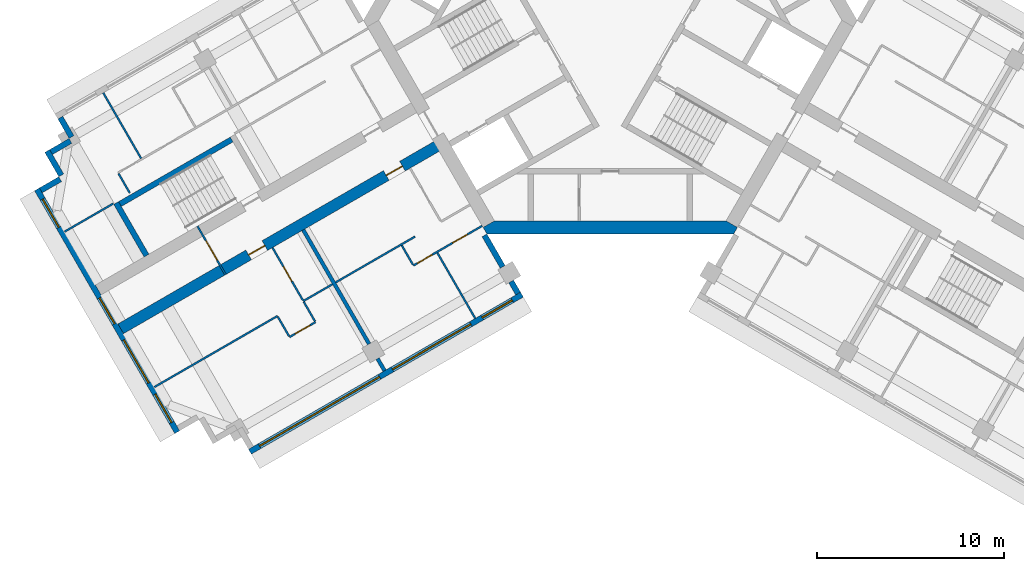
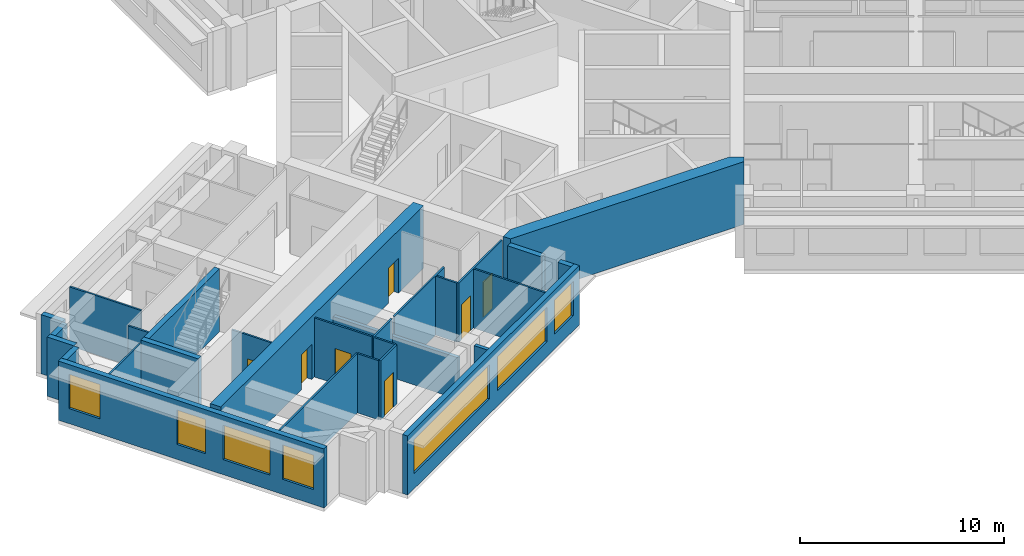
# One storey, part 2 of 10: 28 walls, 7 doors, 7 windows, 14 openings.
"""IFC4 building model written with IfcOpenShell, lengths in metres."""

from ifc_helpers import new_model, si_unit, direction, frame, frame_2d, origin, place, context, subcontext, project, spatial, polyline, rectangle, outline, extrude, material, layer, layer_set, type_object, element, fill, save


model = new_model("IFC4")

# Units and contexts
model_context = context("Model", 3, precision=1e-05, world=origin(), true_north=direction((0.0, 1.0)))
body_context = subcontext(model_context, "Body", "Model", "MODEL_VIEW")
ifc_project = project(units=[si_unit("LENGTHUNIT", "METRE"), si_unit("AREAUNIT", "SQUARE_METRE"), si_unit("VOLUMEUNIT", "CUBIC_METRE"), si_unit("PLANEANGLEUNIT", "RADIAN"), si_unit("MASSUNIT", "GRAM", prefix="KILO")], contexts=[model_context])

# Site, building, storey
site_placement = place(None, origin())
site = spatial("IfcSite", under=ifc_project, at=site_placement, CompositionType="ELEMENT")
building_placement = place(site_placement, origin())
building = spatial("IfcBuilding", under=site, at=building_placement, Name="Impinga Residences", CompositionType="ELEMENT")
storey_placement = place(building_placement, frame((0.0, 0.0, 222.25)))
storey = spatial("IfcBuildingStorey", under=building, at=storey_placement, Name="L55", CompositionType="ELEMENT", Elevation=222.25)

# Wall, openings, doors
ifc_material_1 = material(Name="Concrete C60/75", Category="concrete")
ifc_layer_1 = layer(ifc_material_1, 0.60009765625)
ifc_layer_set_1 = layer_set([ifc_layer_1], Name="Concrete C60/75")
wall_type_1 = type_object("IfcWallType", Name="BW3 corridor buttress wall, L46 to L73 600", PredefinedType="SHEAR", material=ifc_layer_set_1)
wall_1_placement = place(storey_placement, frame((-8.996826171875, -6.580078125, 0.0), z_axis=(0.0, 0.0, 1.0), x_axis=(-0.866030540451, -0.499991102927, 0.0)))
wall_1 = element("IfcWall", 1, at=wall_1_placement, inside=storey, type_object=wall_type_1, Name="Corridor wall BW3 WC L55", PredefinedType="SHEAR", context=body_context, shape_type="SweptSolid", body=[
    extrude(rectangle(XDim=19.849853515625, YDim=0.60009765625, at=frame_2d((9.9248046875, 0.0))), origin(), (0.0, 0.0, 1.0), 3.75),
])
opening_1_placement = place(wall_1_placement, frame((2.449951171875, 0.0, 0.0)))
opening_1 = element("IfcOpeningElement", 2, at=opening_1_placement, cuts=wall_1, Name="Opening D1", PredefinedType="OPENING", context=body_context, shape_type="SweptSolid", body=[
    extrude(rectangle(XDim=1.0, YDim=2.10009765625, at=frame_2d((0.5, 1.050048828125))), frame((0.0, 0.31005859375, 0.0), z_axis=(0.0, -1.0, 0.0), x_axis=(1.0, 0.0, 0.0)), (0.0, 0.0, 1.0), 0.6201171875),
])
opening_2_placement = place(wall_1_placement, frame((10.949951171875, 0.0, 0.0)))
opening_2 = element("IfcOpeningElement", 3, at=opening_2_placement, cuts=wall_1, Name="Opening D1", PredefinedType="OPENING", context=body_context, shape_type="SweptSolid", body=[
    extrude(rectangle(XDim=1.0, YDim=2.10009765625, at=frame_2d((0.5, 1.050048828125))), frame((0.0, 0.31005859375, 0.0), z_axis=(0.0, -1.0, 0.0), x_axis=(1.0, 0.0, 0.0)), (0.0, 0.0, 1.0), 0.6201171875),
])
ifc_material_2 = material(Name="Timber door set", Category="wood")
door_type_1 = type_object("IfcDoorType", Name="D1 apartment entrance door 1000x2100", OperationType="SINGLE_SWING_LEFT", PredefinedType="DOOR", material=ifc_material_2)
door_1_placement = place(opening_1_placement, origin())
door_1 = element("IfcDoor", 4, at=door_1_placement, inside=storey, type_object=door_type_1, Name="Apartment L55-WA1 entrance", OperationType="SINGLE_SWING_LEFT", OverallHeight=2.10009765625, OverallWidth=1.0, PredefinedType="DOOR", context=body_context, shape_type="SweptSolid", body=[
    extrude(rectangle(XDim=1.0, YDim=2.10009765625, at=frame_2d((0.5, 1.050048828125))), frame((0.0, 0.02490234375, 0.0), z_axis=(0.0, -1.0, 0.0), x_axis=(1.0, 0.0, 0.0)), (0.0, 0.0, 1.0), 0.050048828125),
])
fill(opening_1, door_1)
door_2_placement = place(opening_2_placement, origin())
door_2 = element("IfcDoor", 5, at=door_2_placement, inside=storey, type_object=door_type_1, Name="Apartment L55-WA2 entrance", OperationType="SINGLE_SWING_RIGHT", OverallHeight=2.10009765625, OverallWidth=1.0, PredefinedType="DOOR", context=body_context, shape_type="SweptSolid", body=[
    extrude(rectangle(XDim=1.0, YDim=2.10009765625, at=frame_2d((0.5, 1.050048828125))), frame((0.0, 0.02490234375, 0.0), z_axis=(0.0, -1.0, 0.0), x_axis=(1.0, 0.0, 0.0)), (0.0, 0.0, 1.0), 0.050048828125),
])
fill(opening_2, door_2)

# Wall, opening, door
ifc_material_3 = material(Name="Concrete blockwork", Category="masonry")
ifc_layer_2 = layer(ifc_material_3, 0.10009765625)
ifc_layer_set_2 = layer_set([ifc_layer_2], Name="CP1 core room partition, blockwork 100")
wall_type_2 = type_object("IfcWallType", Name="CP1 core room partition, blockwork 100", PredefinedType="PARTITIONING", material=ifc_layer_set_2)
wall_2_placement = place(storey_placement, frame((-20.58154296875, -13.61474609375, 0.0), z_axis=(0.0, 0.0, 1.0), x_axis=(-0.50002537861, 0.866010750942, 0.0)))
wall_2 = element("IfcWall", 6, at=wall_2_placement, inside=storey, type_object=wall_type_2, Name="Core room partition, blockwork L55:W:LNG", PredefinedType="PARTITIONING", context=body_context, shape_type="SweptSolid", body=[
    extrude(rectangle(XDim=2.999755859375, YDim=0.10009765625, at=frame_2d((1.5, 0.0))), origin(), (0.0, 0.0, 1.0), 3.530029296875),
])
opening_3_placement = place(wall_2_placement, frame((0.89990234375, 0.0, 0.0)))
opening_3 = element("IfcOpeningElement", 7, at=opening_3_placement, cuts=wall_2, Name="Opening D3", PredefinedType="OPENING", context=body_context, shape_type="SweptSolid", body=[
    extrude(rectangle(XDim=1.199951171875, YDim=2.10009765625, at=frame_2d((0.60009765625, 1.050048828125))), frame((0.0, 0.06005859375, 0.0), z_axis=(0.0, -1.0, 0.0), x_axis=(1.0, 0.0, 0.0)), (0.0, 0.0, 1.0), 0.1201171875),
])
door_type_2 = type_object("IfcDoorType", Name="D3 room door, leaf and a half 1200x2100", OperationType="DOUBLE_SWING_LEFT", PredefinedType="DOOR", material=ifc_material_2)
door_3_placement = place(opening_3_placement, origin())
door_3 = element("IfcDoor", 8, at=door_3_placement, inside=storey, type_object=door_type_2, Name="Residents' lounge door W", OperationType="DOUBLE_SWING_LEFT", OverallHeight=2.10009765625, OverallWidth=1.199951171875, PredefinedType="DOOR", context=body_context, shape_type="SweptSolid", body=[
    extrude(rectangle(XDim=1.199951171875, YDim=2.10009765625, at=frame_2d((0.60009765625, 1.050048828125))), frame((0.0, 0.02490234375, 0.0), z_axis=(0.0, -1.0, 0.0), x_axis=(1.0, 0.0, 0.0)), (0.0, 0.0, 1.0), 0.050048828125),
])
fill(opening_3, door_3)

# Walls
ifc_material_4 = material(Name="Terracotta rainscreen on blockwork", Category="masonry")
ifc_layer_3 = layer(ifc_material_4, 0.300048828125)
ifc_layer_set_3 = layer_set([ifc_layer_3], Name="EW1 external wall, terracotta rainscreen on blockwork 300")
wall_type_3 = type_object("IfcWallType", Name="EW1 external wall, terracotta rainscreen on blockwork 300", PredefinedType="SOLIDWALL", material=ifc_layer_set_3)
wall_3_placement = place(storey_placement, frame((-6.72998046875, -11.506591796875, 0.0), z_axis=(0.0, 0.0, 1.0), x_axis=(0.500043961785, -0.866000020948, 0.0)))
element("IfcWall", 9, at=wall_3_placement, inside=storey, type_object=wall_type_3, Name="External wall EW1 L55", PredefinedType="SOLIDWALL", context=body_context, shape_type="SweptSolid", body=[
    extrude(rectangle(XDim=1.949951171875, YDim=0.300048828125, at=frame_2d((0.97509765625, 0.0))), origin(), (0.0, 0.0, 1.0), 3.530029296875),
])
wall_4_placement = place(storey_placement, frame((-5.304931640625, -13.974609375, 0.0), z_axis=(0.0, 0.0, 1.0), x_axis=(0.499919672301, -0.866071776036, 0.0)))
element("IfcWall", 10, at=wall_4_placement, inside=storey, type_object=wall_type_3, Name="External wall EW1 L55", PredefinedType="SOLIDWALL", context=body_context, shape_type="SweptSolid", body=[
    extrude(rectangle(XDim=0.75, YDim=0.300048828125, at=frame_2d((0.375, 0.0))), origin(), (0.0, 0.0, 1.0), 3.530029296875),
])

# Wall, openings, windows
wall_5_placement = place(storey_placement, frame((-4.72509765625, -14.67919921875, 0.0), z_axis=(0.0, 0.0, 1.0), x_axis=(-0.86602562146, -0.499999622975, 0.0)))
wall_5 = element("IfcWall", 11, at=wall_5_placement, inside=storey, type_object=wall_type_3, Name="External wall EW1 L55", PredefinedType="SOLIDWALL", context=body_context, shape_type="SweptSolid", body=[
    extrude(rectangle(XDim=16.7998046875, YDim=0.300048828125, at=frame_2d((8.39990234375, 0.0))), origin(), (0.0, 0.0, 1.0), 3.530029296875),
])
opening_4_placement = place(wall_5_placement, frame((0.60009765625, 0.0, 0.89990234375)))
opening_4 = element("IfcOpeningElement", 12, at=opening_4_placement, cuts=wall_5, Name="Opening W15", PredefinedType="OPENING", context=body_context, shape_type="SweptSolid", body=[
    extrude(rectangle(XDim=1.85009765625, YDim=2.050048828125, at=frame_2d((0.925048828125, 1.02490234375))), frame((0.0, 0.159912109375, 0.0), z_axis=(0.0, -1.0, 0.0), x_axis=(1.0, 0.0, 0.0)), (0.0, 0.0, 1.0), 0.320068359375),
])
opening_5_placement = place(wall_5_placement, frame((3.14990234375, 0.0, 0.89990234375)))
opening_5 = element("IfcOpeningElement", 13, at=opening_5_placement, cuts=wall_5, Name="Opening W6", PredefinedType="OPENING", context=body_context, shape_type="SweptSolid", body=[
    extrude(rectangle(XDim=4.85009765625, YDim=2.050048828125, at=frame_2d((2.425048828125, 1.02490234375))), frame((0.0, 0.159912109375, 0.0), z_axis=(0.0, -1.0, 0.0), x_axis=(1.0, 0.0, 0.0)), (0.0, 0.0, 1.0), 0.320068359375),
])
opening_6_placement = place(wall_5_placement, frame((8.800048828125, 0.0, 0.89990234375)))
opening_6 = element("IfcOpeningElement", 14, at=opening_6_placement, cuts=wall_5, Name="Opening W12", PredefinedType="OPENING", context=body_context, shape_type="SweptSolid", body=[
    extrude(rectangle(XDim=7.39990234375, YDim=2.050048828125, at=frame_2d((3.699951171875, 1.02490234375))), frame((0.0, 0.159912109375, 0.0), z_axis=(0.0, -1.0, 0.0), x_axis=(1.0, 0.0, 0.0)), (0.0, 0.0, 1.0), 0.320068359375),
])
ifc_material_5 = material(Name="Aluminium window, clear double glazing", Category="aluminium")
window_type_1 = type_object("IfcWindowType", Name="W12 ribbon window 7400x2050", PartitioningType="SINGLE_PANEL", PredefinedType="WINDOW", material=ifc_material_5)
window_1_placement = place(opening_6_placement, origin())
window_1 = element("IfcWindow", 15, at=window_1_placement, inside=storey, type_object=window_type_1, Name="Window L55", OverallHeight=2.050048828125, OverallWidth=7.39990234375, PartitioningType="SINGLE_PANEL", PredefinedType="WINDOW", context=body_context, shape_type="SweptSolid", body=[
    extrude(rectangle(XDim=7.39990234375, YDim=2.050048828125, at=frame_2d((3.699951171875, 1.02490234375))), frame((0.0, 0.030029296875, 0.0), z_axis=(0.0, -1.0, 0.0), x_axis=(1.0, 0.0, 0.0)), (0.0, 0.0, 1.0), 0.06005859375),
])
fill(opening_6, window_1)
window_type_2 = type_object("IfcWindowType", Name="W15 ribbon window 1850x2050", PartitioningType="SINGLE_PANEL", PredefinedType="WINDOW", material=ifc_material_5)
window_2_placement = place(opening_4_placement, origin())
window_2 = element("IfcWindow", 16, at=window_2_placement, inside=storey, type_object=window_type_2, Name="Window L55", OverallHeight=2.050048828125, OverallWidth=1.85009765625, PartitioningType="SINGLE_PANEL", PredefinedType="WINDOW", context=body_context, shape_type="SweptSolid", body=[
    extrude(rectangle(XDim=1.85009765625, YDim=2.050048828125, at=frame_2d((0.925048828125, 1.02490234375))), frame((0.0, 0.030029296875, 0.0), z_axis=(0.0, -1.0, 0.0), x_axis=(1.0, 0.0, 0.0)), (0.0, 0.0, 1.0), 0.06005859375),
])
fill(opening_4, window_2)
window_type_3 = type_object("IfcWindowType", Name="W6 ribbon window 4850x2050", PartitioningType="SINGLE_PANEL", PredefinedType="WINDOW", material=ifc_material_5)
window_3_placement = place(opening_5_placement, origin())
window_3 = element("IfcWindow", 17, at=window_3_placement, inside=storey, type_object=window_type_3, Name="Window L55", OverallHeight=2.050048828125, OverallWidth=4.85009765625, PartitioningType="SINGLE_PANEL", PredefinedType="WINDOW", context=body_context, shape_type="SweptSolid", body=[
    extrude(rectangle(XDim=4.85009765625, YDim=2.050048828125, at=frame_2d((2.425048828125, 1.02490234375))), frame((0.0, 0.030029296875, 0.0), z_axis=(0.0, -1.0, 0.0), x_axis=(1.0, 0.0, 0.0)), (0.0, 0.0, 1.0), 0.06005859375),
])
fill(opening_5, window_3)

wall_6_placement = place(storey_placement, frame((-23.16748046875, -22.035888671875, 0.0), z_axis=(0.0, 0.0, 1.0), x_axis=(-0.500004234368, 0.866022959057, 0.0)))
wall_6 = element("IfcWall", 18, at=wall_6_placement, inside=storey, type_object=wall_type_3, Name="External wall EW1 L55", PredefinedType="SOLIDWALL", context=body_context, shape_type="SweptSolid", body=[
    extrude(rectangle(XDim=14.999755859375, YDim=0.300048828125, at=frame_2d((7.5, 0.0))), origin(), (0.0, 0.0, 1.0), 3.530029296875),
])
opening_7_placement = place(wall_6_placement, frame((0.60009765625, 0.0, 0.89990234375)))
opening_7 = element("IfcOpeningElement", 19, at=opening_7_placement, cuts=wall_6, Name="Opening W1", PredefinedType="OPENING", context=body_context, shape_type="SweptSolid", body=[
    extrude(rectangle(XDim=1.75, YDim=2.050048828125, at=frame_2d((0.875, 1.02490234375))), frame((0.0, 0.159912109375, 0.0), z_axis=(0.0, -1.0, 0.0), x_axis=(1.0, 0.0, 0.0)), (0.0, 0.0, 1.0), 0.320068359375),
])
opening_8_placement = place(wall_6_placement, frame((3.050048828125, 0.0, 0.89990234375)))
opening_8 = element("IfcOpeningElement", 20, at=opening_8_placement, cuts=wall_6, Name="Opening W18", PredefinedType="OPENING", context=body_context, shape_type="SweptSolid", body=[
    extrude(rectangle(XDim=2.64990234375, YDim=2.050048828125, at=frame_2d((1.324951171875, 1.02490234375))), frame((0.0, 0.159912109375, 0.0), z_axis=(0.0, -1.0, 0.0), x_axis=(1.0, 0.0, 0.0)), (0.0, 0.0, 1.0), 0.320068359375),
])
opening_9_placement = place(wall_6_placement, frame((6.699951171875, 0.0, 0.89990234375)))
opening_9 = element("IfcOpeningElement", 21, at=opening_9_placement, cuts=wall_6, Name="Opening W19", PredefinedType="OPENING", context=body_context, shape_type="SweptSolid", body=[
    extrude(rectangle(XDim=1.60009765625, YDim=2.050048828125, at=frame_2d((0.800048828125, 1.02490234375))), frame((0.0, 0.159912109375, 0.0), z_axis=(0.0, -1.0, 0.0), x_axis=(1.0, 0.0, 0.0)), (0.0, 0.0, 1.0), 0.320068359375),
])
opening_10_placement = place(wall_6_placement, frame((12.64990234375, 0.0, 0.89990234375)))
opening_10 = element("IfcOpeningElement", 22, at=opening_10_placement, cuts=wall_6, Name="Opening W1", PredefinedType="OPENING", context=body_context, shape_type="SweptSolid", body=[
    extrude(rectangle(XDim=1.75, YDim=2.050048828125, at=frame_2d((0.875, 1.02490234375))), frame((0.0, 0.159912109375, 0.0), z_axis=(0.0, -1.0, 0.0), x_axis=(1.0, 0.0, 0.0)), (0.0, 0.0, 1.0), 0.320068359375),
])
window_type_4 = type_object("IfcWindowType", Name="W1 ribbon window 1750x2050", PartitioningType="SINGLE_PANEL", PredefinedType="WINDOW", material=ifc_material_5)
window_4_placement = place(opening_7_placement, origin())
window_4 = element("IfcWindow", 23, at=window_4_placement, inside=storey, type_object=window_type_4, Name="Window L55", OverallHeight=2.050048828125, OverallWidth=1.75, PartitioningType="SINGLE_PANEL", PredefinedType="WINDOW", context=body_context, shape_type="SweptSolid", body=[
    extrude(rectangle(XDim=1.75, YDim=2.050048828125, at=frame_2d((0.875, 1.02490234375))), frame((0.0, 0.030029296875, 0.0), z_axis=(0.0, -1.0, 0.0), x_axis=(1.0, 0.0, 0.0)), (0.0, 0.0, 1.0), 0.06005859375),
])
fill(opening_7, window_4)
window_5_placement = place(opening_10_placement, origin())
window_5 = element("IfcWindow", 24, at=window_5_placement, inside=storey, type_object=window_type_4, Name="Window L55", OverallHeight=2.050048828125, OverallWidth=1.75, PartitioningType="SINGLE_PANEL", PredefinedType="WINDOW", context=body_context, shape_type="SweptSolid", body=[
    extrude(rectangle(XDim=1.75, YDim=2.050048828125, at=frame_2d((0.875, 1.02490234375))), frame((0.0, 0.030029296875, 0.0), z_axis=(0.0, -1.0, 0.0), x_axis=(1.0, 0.0, 0.0)), (0.0, 0.0, 1.0), 0.06005859375),
])
fill(opening_10, window_5)
window_type_5 = type_object("IfcWindowType", Name="W18 ribbon window 2650x2050", PartitioningType="SINGLE_PANEL", PredefinedType="WINDOW", material=ifc_material_5)
window_6_placement = place(opening_8_placement, origin())
window_6 = element("IfcWindow", 25, at=window_6_placement, inside=storey, type_object=window_type_5, Name="Window L55", OverallHeight=2.050048828125, OverallWidth=2.64990234375, PartitioningType="SINGLE_PANEL", PredefinedType="WINDOW", context=body_context, shape_type="SweptSolid", body=[
    extrude(rectangle(XDim=2.64990234375, YDim=2.050048828125, at=frame_2d((1.324951171875, 1.02490234375))), frame((0.0, 0.030029296875, 0.0), z_axis=(0.0, -1.0, 0.0), x_axis=(1.0, 0.0, 0.0)), (0.0, 0.0, 1.0), 0.06005859375),
])
fill(opening_8, window_6)
window_type_6 = type_object("IfcWindowType", Name="W19 ribbon window 1600x2050", PartitioningType="SINGLE_PANEL", PredefinedType="WINDOW", material=ifc_material_5)
window_7_placement = place(opening_9_placement, origin())
window_7 = element("IfcWindow", 26, at=window_7_placement, inside=storey, type_object=window_type_6, Name="Window L55", OverallHeight=2.050048828125, OverallWidth=1.60009765625, PartitioningType="SINGLE_PANEL", PredefinedType="WINDOW", context=body_context, shape_type="SweptSolid", body=[
    extrude(rectangle(XDim=1.60009765625, YDim=2.050048828125, at=frame_2d((0.800048828125, 1.02490234375))), frame((0.0, 0.030029296875, 0.0), z_axis=(0.0, -1.0, 0.0), x_axis=(1.0, 0.0, 0.0)), (0.0, 0.0, 1.0), 0.06005859375),
])
fill(opening_9, window_7)

# Walls
wall_7_placement = place(storey_placement, frame((-30.46240234375, -9.1005859375, 0.0), z_axis=(0.0, 0.0, 1.0), x_axis=(0.865971243484, 0.500093796661, 0.0)))
element("IfcWall", 27, at=wall_7_placement, inside=storey, type_object=wall_type_3, Name="External wall EW1 L55", PredefinedType="SOLIDWALL", context=body_context, shape_type="SweptSolid", body=[
    extrude(rectangle(XDim=1.195068359375, YDim=0.300048828125, at=frame_2d((0.59765625, 0.0))), origin(), (0.0, 0.0, 1.0), 3.530029296875),
])
wall_8_placement = place(storey_placement, frame((-29.368408203125, -8.295654296875, 0.0), z_axis=(0.0, 0.0, 1.0), x_axis=(-0.499990139034, 0.866031096941, 0.0)))
element("IfcWall", 28, at=wall_8_placement, inside=storey, type_object=wall_type_3, Name="External wall EW1 L55", PredefinedType="SOLIDWALL", context=body_context, shape_type="SweptSolid", body=[
    extrude(rectangle(XDim=1.5, YDim=0.300048828125, at=frame_2d((0.75, 0.0))), origin(), (0.0, 0.0, 1.0), 3.530029296875),
])
wall_9_placement = place(storey_placement, frame((-29.91357421875, -7.051513671875, 0.0), z_axis=(0.0, 0.0, 1.0), x_axis=(0.865971243484, 0.500093796661, 0.0)))
element("IfcWall", 29, at=wall_9_placement, inside=storey, type_object=wall_type_3, Name="External wall EW1 L55", PredefinedType="SOLIDWALL", context=body_context, shape_type="SweptSolid", body=[
    extrude(rectangle(XDim=1.195068359375, YDim=0.300048828125, at=frame_2d((0.59765625, 0.0))), origin(), (0.0, 0.0, 1.0), 3.530029296875),
])
wall_10_placement = place(storey_placement, frame((-28.8193359375, -6.24658203125, 0.0), z_axis=(0.0, 0.0, 1.0), x_axis=(-0.500033551112, 0.866006032174, 0.0)))
element("IfcWall", 30, at=wall_10_placement, inside=storey, type_object=wall_type_3, Name="External wall EW1 L55", PredefinedType="SOLIDWALL", context=body_context, shape_type="SweptSolid", body=[
    extrude(rectangle(XDim=1.2001953125, YDim=0.300048828125, at=frame_2d((0.60009765625, 0.0))), origin(), (0.0, 0.0, 1.0), 3.530029296875),
])
ifc_material_6 = material(Name="Gypsum board on steel studs", Category="steel")
ifc_layer_4 = layer(ifc_material_6, 0.10009765625)
ifc_layer_set_4 = layer_set([ifc_layer_4], Name="Gypsum board on steel studs")
wall_type_4 = type_object("IfcWallType", Name="IP1 partition 100", PredefinedType="PARTITIONING", material=ifc_layer_set_4)
wall_11_placement = place(storey_placement, frame((-10.444580078125, -11.57275390625, 0.0), z_axis=(0.0, 0.0, 1.0), x_axis=(-0.866023786258, -0.500002801628, 0.0)))
element("IfcWall", 31, at=wall_11_placement, inside=storey, type_object=wall_type_4, Name="Partition L55-WA1:DIV1", PredefinedType="PARTITIONING", context=body_context, shape_type="SweptSolid", body=[
    extrude(rectangle(XDim=4.89990234375, YDim=0.10009765625, at=frame_2d((2.449951171875, 0.0))), origin(), (0.0, 0.0, 1.0), 3.530029296875),
])

# Wall, openings, doors
wall_12_placement = place(storey_placement, frame((-6.85009765625, -10.99853515625, 0.0), z_axis=(0.0, 0.0, 1.0), x_axis=(-0.866014341725, -0.50001915956, 0.0)))
wall_12 = element("IfcWall", 32, at=wall_12_placement, inside=storey, type_object=wall_type_4, Name="Partition L55-WA1:STRIP", PredefinedType="PARTITIONING", context=body_context, shape_type="SweptSolid", body=[
    extrude(rectangle(XDim=4.249755859375, YDim=0.10009765625, at=frame_2d((2.125, 0.0))), origin(), (0.0, 0.0, 1.0), 3.530029296875),
])
opening_11_placement = place(wall_12_placement, frame((0.925048828125, 0.0, 0.0)))
opening_11 = element("IfcOpeningElement", 33, at=opening_11_placement, cuts=wall_12, Name="Opening D2", PredefinedType="OPENING", context=body_context, shape_type="SweptSolid", body=[
    extrude(rectangle(XDim=0.89990234375, YDim=2.10009765625, at=frame_2d((0.449951171875, 1.050048828125))), frame((0.0, 0.06005859375, 0.0), z_axis=(0.0, -1.0, 0.0), x_axis=(1.0, 0.0, 0.0)), (0.0, 0.0, 1.0), 0.1201171875),
])
opening_12_placement = place(wall_12_placement, frame((3.10009765625, 0.0, 0.0)))
opening_12 = element("IfcOpeningElement", 34, at=opening_12_placement, cuts=wall_12, Name="Opening D2", PredefinedType="OPENING", context=body_context, shape_type="SweptSolid", body=[
    extrude(rectangle(XDim=0.89990234375, YDim=2.10009765625, at=frame_2d((0.449951171875, 1.050048828125))), frame((0.0, 0.06005859375, 0.0), z_axis=(0.0, -1.0, 0.0), x_axis=(1.0, 0.0, 0.0)), (0.0, 0.0, 1.0), 0.1201171875),
])
door_type_3 = type_object("IfcDoorType", Name="D2 internal door 900x2100", OperationType="SINGLE_SWING_LEFT", PredefinedType="DOOR", material=ifc_material_2)
door_4_placement = place(opening_11_placement, origin())
door_4 = element("IfcDoor", 35, at=door_4_placement, inside=storey, type_object=door_type_3, Name="Apartment L55-WA1 room door", OperationType="SINGLE_SWING_LEFT", OverallHeight=2.10009765625, OverallWidth=0.89990234375, PredefinedType="DOOR", context=body_context, shape_type="SweptSolid", body=[
    extrude(rectangle(XDim=0.89990234375, YDim=2.10009765625, at=frame_2d((0.449951171875, 1.050048828125))), frame((0.0, 0.02490234375, 0.0), z_axis=(0.0, -1.0, 0.0), x_axis=(1.0, 0.0, 0.0)), (0.0, 0.0, 1.0), 0.050048828125),
])
fill(opening_11, door_4)
door_5_placement = place(opening_12_placement, origin())
door_5 = element("IfcDoor", 36, at=door_5_placement, inside=storey, type_object=door_type_3, Name="Apartment L55-WA1 room door", OperationType="SINGLE_SWING_RIGHT", OverallHeight=2.10009765625, OverallWidth=0.89990234375, PredefinedType="DOOR", context=body_context, shape_type="SweptSolid", body=[
    extrude(rectangle(XDim=0.89990234375, YDim=2.10009765625, at=frame_2d((0.449951171875, 1.050048828125))), frame((0.0, 0.02490234375, 0.0), z_axis=(0.0, -1.0, 0.0), x_axis=(1.0, 0.0, 0.0)), (0.0, 0.0, 1.0), 0.050048828125),
])
fill(opening_12, door_5)

# Walls
wall_13_placement = place(storey_placement, frame((-11.155517578125, -12.041015625, 0.0), z_axis=(0.0, 0.0, 1.0), x_axis=(0.499880961361, -0.866094119867, 0.0)))
element("IfcWall", 37, at=wall_13_placement, inside=storey, type_object=wall_type_4, Name="Partition L55-WA1:SE1", PredefinedType="PARTITIONING", context=body_context, shape_type="SweptSolid", body=[
    extrude(rectangle(XDim=1.199951171875, YDim=0.10009765625, at=frame_2d((0.60009765625, 0.0))), origin(), (0.0, 0.0, 1.0), 3.530029296875),
])
wall_14_placement = place(storey_placement, frame((-9.249755859375, -12.44189453125, 0.0), z_axis=(0.0, 0.0, 1.0), x_axis=(0.499990325971, -0.866030989016, 0.0)))
element("IfcWall", 38, at=wall_14_placement, inside=storey, type_object=wall_type_4, Name="Partition L55-WA1:OB1", PredefinedType="PARTITIONING", context=body_context, shape_type="SweptSolid", body=[
    extrude(rectangle(XDim=4.0498046875, YDim=0.10009765625, at=frame_2d((2.02490234375, 0.0))), origin(), (0.0, 0.0, 1.0), 3.530029296875),
])
wall_15_placement = place(storey_placement, frame((-14.861328125, -14.122802734375, 0.0), z_axis=(0.0, 0.0, 1.0), x_axis=(-0.866047807691, -0.499961193289, 0.0)))
element("IfcWall", 39, at=wall_15_placement, inside=storey, type_object=wall_type_4, Name="Partition L55-WA2:DIV0", PredefinedType="PARTITIONING", context=body_context, shape_type="SweptSolid", body=[
    extrude(rectangle(XDim=1.800048828125, YDim=0.10009765625, at=frame_2d((0.89990234375, 0.0))), origin(), (0.0, 0.0, 1.0), 3.530029296875),
])
wall_16_placement = place(storey_placement, frame((-17.8056640625, -15.82275390625, 0.0), z_axis=(0.0, 0.0, 1.0), x_axis=(-0.866022425744, -0.500005158081, 0.0)))
element("IfcWall", 40, at=wall_16_placement, inside=storey, type_object=wall_type_4, Name="Partition L55-WA2:DIV1", PredefinedType="PARTITIONING", context=body_context, shape_type="SweptSolid", body=[
    extrude(rectangle(XDim=7.60009765625, YDim=0.10009765625, at=frame_2d((3.800048828125, 0.0))), origin(), (0.0, 0.0, 1.0), 3.530029296875),
])

# Wall, opening, door
wall_17_placement = place(storey_placement, frame((-15.77001953125, -16.1484375, 0.0), z_axis=(0.0, 0.0, 1.0), x_axis=(-0.866028054938, -0.499995408039, 0.0)))
wall_17 = element("IfcWall", 41, at=wall_17_placement, inside=storey, type_object=wall_type_4, Name="Partition L55-WA2:STRIP", PredefinedType="PARTITIONING", context=body_context, shape_type="SweptSolid", body=[
    extrude(rectangle(XDim=1.60009765625, YDim=0.10009765625, at=frame_2d((0.800048828125, 0.0))), origin(), (0.0, 0.0, 1.0), 3.530029296875),
])
opening_13_placement = place(wall_17_placement, frame((0.35009765625, 0.0, 0.0)))
opening_13 = element("IfcOpeningElement", 42, at=opening_13_placement, cuts=wall_17, Name="Opening D2", PredefinedType="OPENING", context=body_context, shape_type="SweptSolid", body=[
    extrude(rectangle(XDim=0.89990234375, YDim=2.10009765625, at=frame_2d((0.449951171875, 1.050048828125))), frame((0.0, 0.06005859375, 0.0), z_axis=(0.0, -1.0, 0.0), x_axis=(1.0, 0.0, 0.0)), (0.0, 0.0, 1.0), 0.1201171875),
])
door_6_placement = place(opening_13_placement, origin())
door_6 = element("IfcDoor", 43, at=door_6_placement, inside=storey, type_object=door_type_3, Name="Apartment L55-WA2 room door", OperationType="SINGLE_SWING_LEFT", OverallHeight=2.10009765625, OverallWidth=0.89990234375, PredefinedType="DOOR", context=body_context, shape_type="SweptSolid", body=[
    extrude(rectangle(XDim=0.89990234375, YDim=2.10009765625, at=frame_2d((0.449951171875, 1.050048828125))), frame((0.0, 0.02490234375, 0.0), z_axis=(0.0, -1.0, 0.0), x_axis=(1.0, 0.0, 0.0)), (0.0, 0.0, 1.0), 0.050048828125),
])
fill(opening_13, door_6)

# Walls
wall_18_placement = place(storey_placement, frame((-16.39501953125, -15.06591796875, 0.0), z_axis=(0.0, 0.0, 1.0), x_axis=(0.499880961361, -0.866094119867, 0.0)))
element("IfcWall", 44, at=wall_18_placement, inside=storey, type_object=wall_type_4, Name="Partition L55-WA2:SE0", PredefinedType="PARTITIONING", context=body_context, shape_type="SweptSolid", body=[
    extrude(rectangle(XDim=1.199951171875, YDim=0.10009765625, at=frame_2d((0.60009765625, 0.0))), origin(), (0.0, 0.0, 1.0), 3.530029296875),
])
wall_19_placement = place(storey_placement, frame((-17.78076171875, -15.865966796875, 0.0), z_axis=(0.0, 0.0, 1.0), x_axis=(0.500033551112, -0.866006032174, 0.0)))
element("IfcWall", 45, at=wall_19_placement, inside=storey, type_object=wall_type_4, Name="Partition L55-WA2:SE1", PredefinedType="PARTITIONING", context=body_context, shape_type="SweptSolid", body=[
    extrude(rectangle(XDim=1.2001953125, YDim=0.10009765625, at=frame_2d((0.60009765625, 0.0))), origin(), (0.0, 0.0, 1.0), 3.530029296875),
])

# Wall, opening, door
wall_20_placement = place(storey_placement, frame((-18.070068359375, -12.164794921875, 0.0), z_axis=(0.0, 0.0, 1.0), x_axis=(0.499984717929, -0.866034226713, 0.0)))
wall_20 = element("IfcWall", 46, at=wall_20_placement, inside=storey, type_object=wall_type_4, Name="Partition L55-WA2:IB1", PredefinedType="PARTITIONING", context=body_context, shape_type="SweptSolid", body=[
    extrude(rectangle(XDim=3.25, YDim=0.10009765625, at=frame_2d((1.625, 0.0))), origin(), (0.0, 0.0, 1.0), 3.530029296875),
])
opening_14_placement = place(wall_20_placement, frame((1.175048828125, 0.0, 0.0)))
opening_14 = element("IfcOpeningElement", 47, at=opening_14_placement, cuts=wall_20, Name="Opening D2", PredefinedType="OPENING", context=body_context, shape_type="SweptSolid", body=[
    extrude(rectangle(XDim=0.89990234375, YDim=2.10009765625, at=frame_2d((0.449951171875, 1.050048828125))), frame((0.0, 0.06005859375, 0.0), z_axis=(0.0, -1.0, 0.0), x_axis=(1.0, 0.0, 0.0)), (0.0, 0.0, 1.0), 0.1201171875),
])
door_7_placement = place(opening_14_placement, origin())
door_7 = element("IfcDoor", 48, at=door_7_placement, inside=storey, type_object=door_type_3, Name="Apartment L55-WA2 bathroom door", OperationType="SINGLE_SWING_LEFT", OverallHeight=2.10009765625, OverallWidth=0.89990234375, PredefinedType="DOOR", context=body_context, shape_type="SweptSolid", body=[
    extrude(rectangle(XDim=0.89990234375, YDim=2.10009765625, at=frame_2d((0.449951171875, 1.050048828125))), frame((0.0, 0.02490234375, 0.0), z_axis=(0.0, -1.0, 0.0), x_axis=(1.0, 0.0, 0.0)), (0.0, 0.0, 1.0), 0.050048828125),
])
fill(opening_14, door_7)

# Walls
wall_21_placement = place(storey_placement, frame((-26.58935546875, -9.808837890625, 0.0), z_axis=(0.0, 0.0, 1.0), x_axis=(-0.866031096941, -0.499990139034, 0.0)))
element("IfcWall", 49, at=wall_21_placement, inside=storey, type_object=wall_type_4, Name="Partition L55-WF1:DIV2", PredefinedType="PARTITIONING", context=body_context, shape_type="SweptSolid", body=[
    extrude(rectangle(XDim=3.0, YDim=0.10009765625, at=frame_2d((1.5, 0.0))), origin(), (0.0, 0.0, 1.0), 3.530029296875),
])
wall_22_placement = place(storey_placement, frame((-25.705078125, -9.240478515625, 0.0), z_axis=(0.0, 0.0, 1.0), x_axis=(-0.50012165622, 0.865955154139, 0.0)))
element("IfcWall", 50, at=wall_22_placement, inside=storey, type_object=wall_type_4, Name="Partition L55-WF1:SE1", PredefinedType="PARTITIONING", context=body_context, shape_type="SweptSolid", body=[
    extrude(rectangle(XDim=1.199951171875, YDim=0.10009765625, at=frame_2d((0.60009765625, 0.0))), origin(), (0.0, 0.0, 1.0), 3.530029296875),
])
wall_23_placement = place(storey_placement, frame((-25.099365234375, -7.3896484375, 0.0), z_axis=(0.0, 0.0, 1.0), x_axis=(-0.499990325971, 0.866030989016, 0.0)))
element("IfcWall", 51, at=wall_23_placement, inside=storey, type_object=wall_type_4, Name="Partition L55-WF1:OB4", PredefinedType="PARTITIONING", context=body_context, shape_type="SweptSolid", body=[
    extrude(rectangle(XDim=4.0498046875, YDim=0.10009765625, at=frame_2d((2.02490234375, 0.0))), origin(), (0.0, 0.0, 1.0), 3.530029296875),
])
ifc_layer_5 = layer(ifc_material_3, 0.199951171875)
ifc_layer_set_5 = layer_set([ifc_layer_5], Name="PW1 party wall between apartments 200")
wall_type_5 = type_object("IfcWallType", Name="PW1 party wall between apartments 200", PredefinedType="SOLIDWALL", material=ifc_layer_set_5)
wall_24_placement = place(storey_placement, frame((-16.424560546875, -11.21484375, 0.0), z_axis=(0.0, 0.0, 1.0), x_axis=(0.499990246421, -0.866031034943, 0.0)))
element("IfcWall", 52, at=wall_24_placement, inside=storey, type_object=wall_type_5, Name="Party wall between apartments L55-WA1:PARTY", PredefinedType="SOLIDWALL", context=body_context, shape_type="SweptSolid", body=[
    extrude(rectangle(XDim=7.050048828125, YDim=0.199951171875, at=frame_2d((3.52490234375, 0.0))), origin(), (0.0, 0.0, 1.0), 2.47998046875),
])
wall_25_placement = place(storey_placement, frame((-12.44970703125, -18.099609375, 0.0), z_axis=(0.0, 0.0, 1.0), x_axis=(0.499919672301, -0.866071776036, 0.0)))
element("IfcWall", 53, at=wall_25_placement, inside=storey, type_object=wall_type_5, Name="Party wall between apartments L55-WA1:PARTYb", PredefinedType="SOLIDWALL", context=body_context, shape_type="SweptSolid", body=[
    extrude(rectangle(XDim=0.75, YDim=0.199951171875, at=frame_2d((0.375, 0.0))), origin(), (0.0, 0.0, 1.0), 3.530029296875),
])
ifc_layer_6 = layer(ifc_material_1, 0.300048828125)
ifc_layer_set_6 = layer_set([ifc_layer_6], Name="Concrete C60/75")
wall_type_6 = type_object("IfcWallType", Name="SE1 wing stair enclosure wall 300", PredefinedType="SOLIDWALL", material=ifc_layer_set_6)
wall_26_placement = place(storey_placement, frame((-24.8095703125, -12.591796875, 0.0), z_axis=(0.0, 0.0, 1.0), x_axis=(-0.499984717929, 0.866034226713, 0.0)))
element("IfcWall", 54, at=wall_26_placement, inside=storey, type_object=wall_type_6, Name="Stair enclosure wall SE1 W END1 L55", PredefinedType="SOLIDWALL", context=body_context, shape_type="SweptSolid", body=[
    extrude(rectangle(XDim=3.25, YDim=0.300048828125, at=frame_2d((1.625, 0.0))), origin(), (0.0, 0.0, 1.0), 3.75),
])
wall_27_placement = place(storey_placement, frame((-20.254150390625, -6.382080078125, 0.0), z_axis=(0.0, 0.0, 1.0), x_axis=(-0.866020008033, -0.500009345598, 0.0)))
element("IfcWall", 55, at=wall_27_placement, inside=storey, type_object=wall_type_6, Name="Stair enclosure wall SE1 W OUT L55", PredefinedType="SOLIDWALL", context=body_context, shape_type="SweptSolid", body=[
    extrude(rectangle(XDim=6.899658203125, YDim=0.300048828125, at=frame_2d((3.44970703125, 0.0))), origin(), (0.0, 0.0, 1.0), 3.75),
])
ifc_layer_7 = layer(ifc_material_1, 0.699951171875)
ifc_layer_set_7 = layer_set([ifc_layer_7], Name="Concrete C60/75")
wall_type_7 = type_object("IfcWallType", Name="SW3 core wall 700", PredefinedType="SHEAR", material=ifc_layer_set_7)
wall_28_placement = place(storey_placement, origin())
element("IfcWall", 56, at=wall_28_placement, inside=storey, type_object=wall_type_7, Name="Core wall SW3 N:EXPOSED L55", PredefinedType="SHEAR", context=body_context, shape_type="SweptSolid", body=[
    extrude(outline(polyline([(-6.60009765625, -11.431640625), (6.60009765625, -11.431640625), (6.802001953125, -11.08154296875), (6.19580078125, -10.7314453125), (-6.19580078125, -10.7314453125), (-6.802001953125, -11.08154296875), (-6.60009765625, -11.431640625)])), origin(), (0.0, 0.0, 1.0), 3.75),
])

save(model, "model.ifc")
